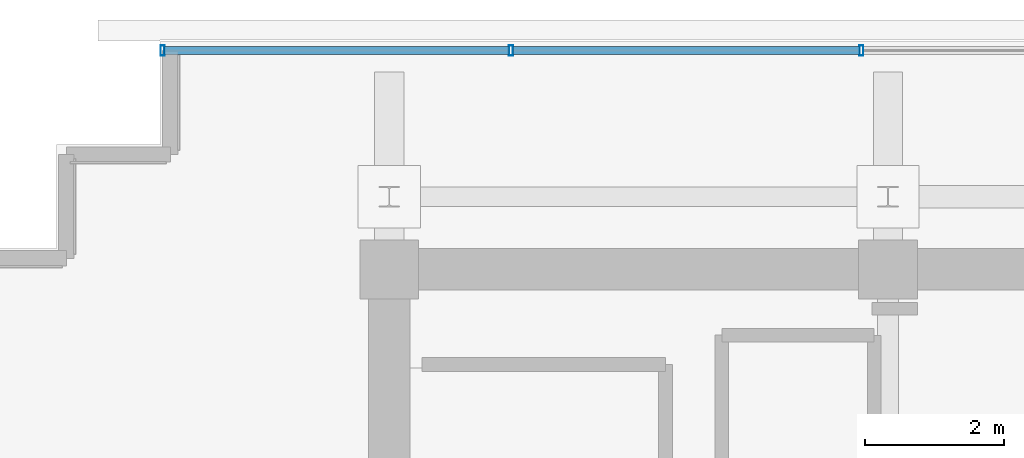
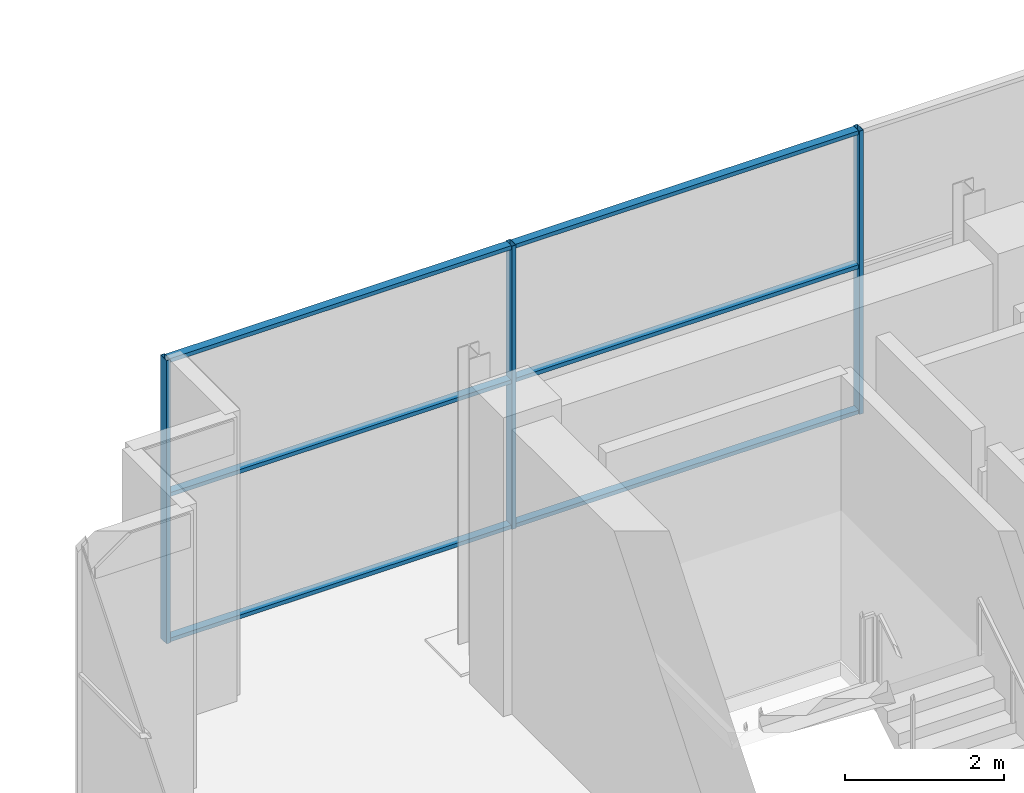
# One storey, part 19 of 28: 9 members, 1 element without a shape of its own.
"""IFC4 building model written with IfcOpenShell, lengths in metres."""

from ifc_helpers import new_model, si_unit, direction, frame, origin, origin_2d, place, context, subcontext, project, spatial, hollow_rectangle, extrude, source, transform, mapped, material, layer, layer_set, material_profile, profile_set, type_object, element, aggregate, save


model = new_model("IFC4")

# Units and contexts
model_context = context("Model", 3, precision=1e-05, world=origin(), true_north=direction((0.0, 1.0)))
body_context = subcontext(model_context, "Body", "Model", "MODEL_VIEW")
ifc_project = project(units=[si_unit("LENGTHUNIT", "METRE"), si_unit("AREAUNIT", "SQUARE_METRE"), si_unit("VOLUMEUNIT", "CUBIC_METRE"), si_unit("PLANEANGLEUNIT", "RADIAN"), si_unit("MASSUNIT", "GRAM", prefix="KILO")], contexts=[model_context])

# Site, building, storey
site_placement = place(None, origin())
site = spatial("IfcSite", under=ifc_project, at=site_placement, CompositionType="ELEMENT")
building_placement = place(site_placement, origin())
building = spatial("IfcBuilding", under=site, at=building_placement, Name="Zarnakvel Exchange Tower", CompositionType="ELEMENT")
storey_placement = place(building_placement, frame((0.0, 0.0, 271.60009765625)))
storey = spatial("IfcBuildingStorey", under=building, at=storey_placement, Name="Crown L77", CompositionType="ELEMENT", Elevation=271.60009765625)

# Curtain wall, members
ifc_material = material(Name="Architectural Bronze Anodised Aluminium", Category="aluminium")
ifc_layer = layer(ifc_material, 0.14990234375)
ifc_layer_set = layer_set([ifc_layer], Name="Architectural Bronze Anodised Aluminium")
curtain_wall_type = type_object("IfcCurtainWallType", Name="CW-07", PredefinedType="NOTDEFINED", material=ifc_layer_set)
curtain_wall_placement = place(storey_placement, origin())
curtain_wall = element("IfcCurtainWall", 1, at=curtain_wall_placement, inside=storey, type_object=curtain_wall_type, Name="Crown L77 Curtain Wall CW-Crown L77-N (CW-07)", PredefinedType="NOTDEFINED")
ifc_material_profile_1 = material_profile(ifc_material, hollow_rectangle(XDim=0.14990234375, YDim=0.06005859375, WallThickness=0.00390625, at=origin_2d()))
ifc_profile_set_1 = profile_set([ifc_material_profile_1], Name="Architectural Bronze Anodised Aluminium")
member_type_1 = type_object("IfcMemberType", Name="CWM-07", PredefinedType="MULLION", material=ifc_profile_set_1)
shared_shape_1 = source(origin(), body_context, "Body", "SweptSolid", [
    extrude(hollow_rectangle(XDim=0.14990234375, YDim=0.06005859375, WallThickness=0.00390625, at=origin_2d()), origin(), (0.0, 0.0, 1.0), 4.35986328125),
])
member_1_placement = place(storey_placement, frame((-17.669921875, 16.659912109375, 0.0), z_axis=(0.0, 0.0, 1.0), x_axis=(0.0, 1.0, 0.0)))
member_1 = element("IfcMember", 2, at=member_1_placement, type_object=member_type_1, Name="CW-07 mullion 1", PredefinedType="MULLION", context=body_context, shape_type="MappedRepresentation", body=[
    mapped(shared_shape_1, transform((0.0, 0.0, 0.0), x_axis=(1.0, 0.0, 0.0), y_axis=(0.0, 1.0, 0.0), z_axis=(0.0, 0.0, 1.0), scale=1.0)),
])
member_2_placement = place(storey_placement, frame((-12.642822265625, 16.659912109375, 0.0), z_axis=(0.0, 0.0, 1.0), x_axis=(0.0, 1.0, 0.0)))
member_2 = element("IfcMember", 3, at=member_2_placement, type_object=member_type_1, Name="CW-07 mullion 2", PredefinedType="MULLION", context=body_context, shape_type="MappedRepresentation", body=[
    mapped(shared_shape_1, transform((0.0, 0.0, 0.0), x_axis=(1.0, 0.0, 0.0), y_axis=(0.0, 1.0, 0.0), z_axis=(0.0, 0.0, 1.0), scale=1.0)),
])
member_3_placement = place(storey_placement, frame((-7.585693359375, 16.659912109375, 0.0), z_axis=(0.0, 0.0, 1.0), x_axis=(0.0, 1.0, 0.0)))
member_3 = element("IfcMember", 4, at=member_3_placement, type_object=member_type_1, Name="CW-07 mullion 3", PredefinedType="MULLION", context=body_context, shape_type="MappedRepresentation", body=[
    mapped(shared_shape_1, transform((0.0, 0.0, 0.0), x_axis=(1.0, 0.0, 0.0), y_axis=(0.0, 1.0, 0.0), z_axis=(0.0, 0.0, 1.0), scale=1.0)),
])
ifc_material_profile_2 = material_profile(ifc_material, hollow_rectangle(XDim=0.1201171875, YDim=0.06005859375, WallThickness=0.00390625, at=origin_2d()))
ifc_profile_set_2 = profile_set([ifc_material_profile_2], Name="Architectural Bronze Anodised Aluminium")
member_type_2 = type_object("IfcMemberType", Name="CWT-07", PredefinedType="USERDEFINED", material=ifc_profile_set_2)
shared_shape_2 = source(origin(), body_context, "Body", "SweptSolid", [
    extrude(hollow_rectangle(XDim=0.1201171875, YDim=0.06005859375, WallThickness=0.00390625, at=origin_2d()), origin(), (0.0, 0.0, 1.0), 4.967041015625),
])
member_4_placement = place(storey_placement, frame((-17.639892578125, 16.659912109375, 0.02978515625), z_axis=(1.0, 0.0, 0.0), x_axis=(0.0, 1.0, 0.0)))
member_4 = element("IfcMember", 5, at=member_4_placement, type_object=member_type_2, Name="CW-07 transom 1.1", ObjectType="TRANSOM", PredefinedType="USERDEFINED", context=body_context, shape_type="MappedRepresentation", body=[
    mapped(shared_shape_2, transform((0.0, 0.0, 0.0), x_axis=(1.0, 0.0, 0.0), y_axis=(0.0, 1.0, 0.0), z_axis=(0.0, 0.0, 1.0), scale=1.0)),
])
member_5_placement = place(storey_placement, frame((-17.639892578125, 16.659912109375, 2.26708984375), z_axis=(1.0, 0.0, 0.0), x_axis=(0.0, 1.0, 0.0)))
member_5 = element("IfcMember", 6, at=member_5_placement, type_object=member_type_2, Name="CW-07 transom 1.2", ObjectType="TRANSOM", PredefinedType="USERDEFINED", context=body_context, shape_type="MappedRepresentation", body=[
    mapped(shared_shape_2, transform((0.0, 0.0, 0.0), x_axis=(1.0, 0.0, 0.0), y_axis=(0.0, 1.0, 0.0), z_axis=(0.0, 0.0, 1.0), scale=1.0)),
])
member_6_placement = place(storey_placement, frame((-17.639892578125, 16.659912109375, 4.329833984375), z_axis=(1.0, 0.0, 0.0), x_axis=(0.0, 1.0, 0.0)))
member_6 = element("IfcMember", 7, at=member_6_placement, type_object=member_type_2, Name="CW-07 transom 1.3", ObjectType="TRANSOM", PredefinedType="USERDEFINED", context=body_context, shape_type="MappedRepresentation", body=[
    mapped(shared_shape_2, transform((0.0, 0.0, 0.0), x_axis=(1.0, 0.0, 0.0), y_axis=(0.0, 1.0, 0.0), z_axis=(0.0, 0.0, 1.0), scale=1.0)),
])
shared_shape_3 = source(origin(), body_context, "Body", "SweptSolid", [
    extrude(hollow_rectangle(XDim=0.1201171875, YDim=0.06005859375, WallThickness=0.00390625, at=origin_2d()), origin(), (0.0, 0.0, 1.0), 4.9970703125),
])
member_7_placement = place(storey_placement, frame((-12.61279296875, 16.659912109375, 0.02978515625), z_axis=(1.0, 0.0, 0.0), x_axis=(0.0, 1.0, 0.0)))
member_7 = element("IfcMember", 8, at=member_7_placement, type_object=member_type_2, Name="CW-07 transom 2.1", ObjectType="TRANSOM", PredefinedType="USERDEFINED", context=body_context, shape_type="MappedRepresentation", body=[
    mapped(shared_shape_3, transform((0.0, 0.0, 0.0), x_axis=(1.0, 0.0, 0.0), y_axis=(0.0, 1.0, 0.0), z_axis=(0.0, 0.0, 1.0), scale=1.0)),
])
member_8_placement = place(storey_placement, frame((-12.61279296875, 16.659912109375, 2.26708984375), z_axis=(1.0, 0.0, 0.0), x_axis=(0.0, 1.0, 0.0)))
member_8 = element("IfcMember", 9, at=member_8_placement, type_object=member_type_2, Name="CW-07 transom 2.2", ObjectType="TRANSOM", PredefinedType="USERDEFINED", context=body_context, shape_type="MappedRepresentation", body=[
    mapped(shared_shape_3, transform((0.0, 0.0, 0.0), x_axis=(1.0, 0.0, 0.0), y_axis=(0.0, 1.0, 0.0), z_axis=(0.0, 0.0, 1.0), scale=1.0)),
])
member_9_placement = place(storey_placement, frame((-12.61279296875, 16.659912109375, 4.329833984375), z_axis=(1.0, 0.0, 0.0), x_axis=(0.0, 1.0, 0.0)))
member_9 = element("IfcMember", 10, at=member_9_placement, type_object=member_type_2, Name="CW-07 transom 2.3", ObjectType="TRANSOM", PredefinedType="USERDEFINED", context=body_context, shape_type="MappedRepresentation", body=[
    mapped(shared_shape_3, transform((0.0, 0.0, 0.0), x_axis=(1.0, 0.0, 0.0), y_axis=(0.0, 1.0, 0.0), z_axis=(0.0, 0.0, 1.0), scale=1.0)),
])
aggregate(curtain_wall, [member_1, member_2, member_3, member_4, member_5, member_6, member_7, member_8, member_9])

save(model, "model.ifc")
